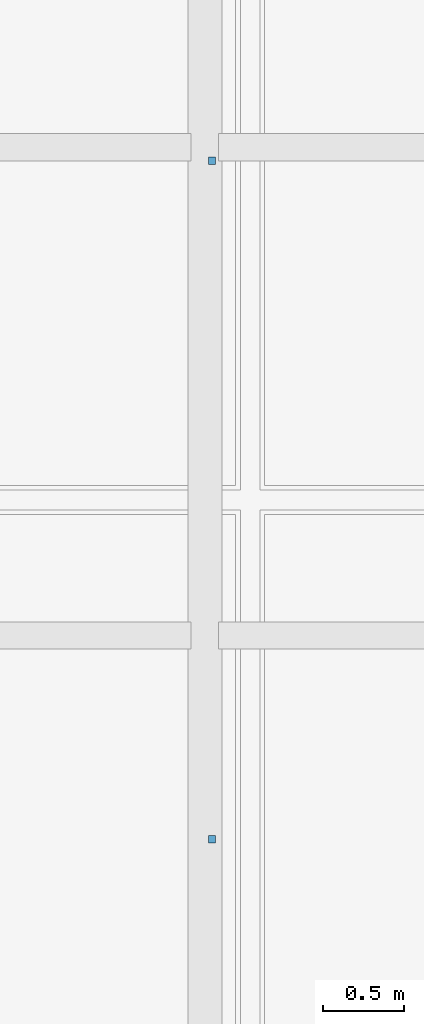
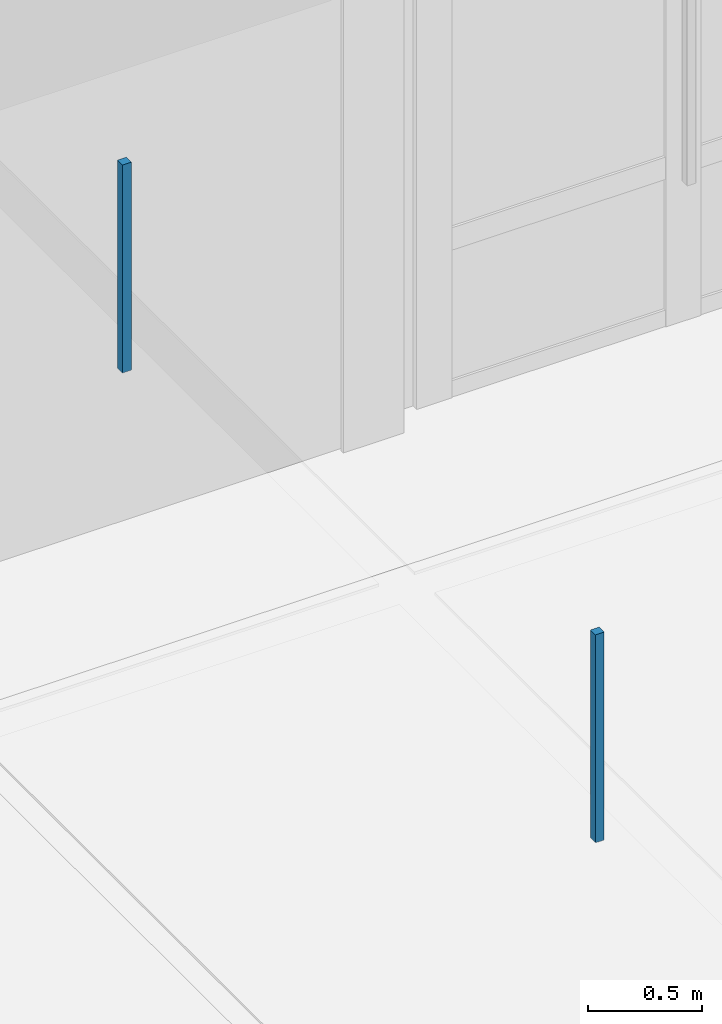
# One storey, part 107 of 140: 2 discrete accessories.
"""IFC4 building model written with IfcOpenShell, lengths in metres."""

import ifcopenshell
import ifcopenshell.guid

model = None  # the IFC model being written
_history = None  # IfcOwnerHistory: only IFC2X3 demands one
_inside = {}  # id of a spatial element -> (the spatial element, [elements in it])
_under = {}  # id of a project, library or spatial element -> (it, [spatial elements below it])
_declared = {}  # id of a project -> (the project, [libraries it declares])
_typed = {}  # id of a type object -> (the type object, [elements of that type])
_made_of = {}  # id of a material, layer set ... -> (it, [elements and type objects made of it])


def new_model(schema):
    """Start an empty IFC model of exactly this schema.

    Asked for "IFC4X3", IfcOpenShell would pick the latest addendum, in which some entities
    have other attributes; the version numbers below select the first issue.
    IFC2X3 requires an IfcOwnerHistory on every rooted entity: one is made here for all.
    """
    global model, _history
    if schema == "IFC4X3":
        model = ifcopenshell.file(schema_version=(4, 3, 0, 0))
    else:
        model = ifcopenshell.file(schema=schema)
    _inside.clear()
    _under.clear()
    _declared.clear()
    _typed.clear()
    _made_of.clear()
    _history = None
    if model.schema == "IFC2X3":
        org = make("IfcOrganization", Name="unknown")
        user = make(
            "IfcPersonAndOrganization",
            ThePerson=make("IfcPerson", FamilyName="unknown"),
            TheOrganization=org,
        )
        app = make(
            "IfcApplication",
            ApplicationDeveloper=org,
            Version="unknown",
            ApplicationFullName="unknown",
            ApplicationIdentifier="unknown",
        )
        _history = make(
            "IfcOwnerHistory",
            OwningUser=user,
            OwningApplication=app,
            ChangeAction="ADDED",
            CreationDate=0,
        )
    return model


def make(cls, **values):
    """One entity of the class cls with the attributes given. An attribute that is None is left unset."""
    return model.create_entity(
        cls, **{name: value for name, value in values.items() if value is not None}
    )


def rooted(cls, **values):
    """An entity with a GlobalId (a new one), such as an element, a storey or a relation."""
    return make(cls, GlobalId=ifcopenshell.guid.new(), OwnerHistory=_history, **values)


def si_unit(unit_type, name, prefix=None):
    """IfcSIUnit, for example si_unit("LENGTHUNIT", "METRE", prefix="MILLI")."""
    return make("IfcSIUnit", UnitType=unit_type, Prefix=prefix, Name=name)


def assignment(units):
    """IfcUnitAssignment: the units of a project."""
    return None if units is None else make("IfcUnitAssignment", Units=units)


def point(xyz):
    """IfcCartesianPoint."""
    return None if xyz is None else make("IfcCartesianPoint", Coordinates=xyz)


def direction(xyz):
    """IfcDirection."""
    return None if xyz is None else make("IfcDirection", DirectionRatios=xyz)


def frame(location, z_axis=None, x_axis=None):
    """IfcAxis2Placement3D, a coordinate frame: its origin and axes. An axis left out is left unset."""
    return make(
        "IfcAxis2Placement3D",
        Location=point(location),
        Axis=direction(z_axis),
        RefDirection=direction(x_axis),
    )


def frame_2d(location, x_axis=None):
    """IfcAxis2Placement2D, a coordinate frame in the plane: its origin and x axis."""
    return make(
        "IfcAxis2Placement2D", Location=point(location), RefDirection=direction(x_axis)
    )


def origin():
    """The frame at (0, 0, 0) with its axes left unset."""
    return frame((0.0, 0.0, 0.0))


def origin_2d():
    """The frame at (0, 0) in the plane with its x axis left unset."""
    return frame_2d((0.0, 0.0))


def place(relative_to, where):
    """IfcLocalPlacement: puts the frame where relative to a parent placement (None: the world)."""
    return make(
        "IfcLocalPlacement", PlacementRelTo=relative_to, RelativePlacement=where
    )


def context(
    kind, dimensions, precision=None, world=None, true_north=None, identifier=None
):
    """IfcGeometricRepresentationContext, for example the 3D "Model" context."""
    return make(
        "IfcGeometricRepresentationContext",
        ContextIdentifier=identifier,
        ContextType=kind,
        CoordinateSpaceDimension=dimensions,
        Precision=precision,
        WorldCoordinateSystem=world,
        TrueNorth=true_north,
    )


def subcontext(parent, identifier, kind, view, scale=None):
    """IfcGeometricRepresentationSubContext, for example "Body" below "Model"."""
    return make(
        "IfcGeometricRepresentationSubContext",
        ContextIdentifier=identifier,
        ContextType=kind,
        ParentContext=parent,
        TargetScale=scale,
        TargetView=view,
    )


def project(units=None, contexts=None):
    """IfcProject with its units and contexts."""
    return rooted(
        "IfcProject",
        Name="project",
        RepresentationContexts=contexts,
        UnitsInContext=assignment(units),
    )


def spatial(cls, under=None, at=None, **own):
    """A site, building, storey or space (cls), placed at a placement, below another one or the project."""
    s = rooted(cls, ObjectPlacement=at, **own)
    if under is not None:
        _under.setdefault(under.id(), (under, []))[1].append(s)
    return s


def profile(cls, at=None, kind="AREA", **sizes):
    """A parametric profile (cls). Its sizes go by their IFC names, for example OverallWidth=200.0."""
    return make(cls, ProfileType=kind, Position=at, **sizes)


def rectangle(**sizes):
    """IfcRectangleProfileDef."""
    return profile("IfcRectangleProfileDef", **sizes)


def extrude(swept, where, along, depth):
    """IfcExtrudedAreaSolid: the profile swept, set in the frame where, extruded along a direction by depth."""
    return make(
        "IfcExtrudedAreaSolid",
        SweptArea=swept,
        Position=where,
        ExtrudedDirection=direction(along),
        Depth=depth,
    )


def shape(context_of_items, identifier, shape_type, items):
    """IfcShapeRepresentation: the items that make up one representation, for example the "Body"."""
    return make(
        "IfcShapeRepresentation",
        ContextOfItems=context_of_items,
        RepresentationIdentifier=identifier,
        RepresentationType=shape_type,
        Items=items,
    )


def material(Name=None, Category=None):
    """IfcMaterial."""
    return make("IfcMaterial", Name=Name, Category=Category)


def made_of(thing, what):
    """Note that an element or type object is made of a material, layer set ...; save() writes the relation."""
    if what is not None:
        _made_of.setdefault(what.id(), (what, []))[1].append(thing)
    return thing


def type_object(cls, material=None, **own):
    """A type object (cls), such as IfcWallType, which elements share."""
    return made_of(rooted(cls, **own), material)


def element(
    cls,
    number,
    at=None,
    inside=None,
    cuts=None,
    type_object=None,
    material=None,
    context=None,
    identifier="Body",
    shape_type=None,
    held_by="IfcProductDefinitionShape",
    body=None,
    shapes=None,
    **own,
):
    """One element of the class cls, such as IfcWall. Its Tag is "e" and its number.

    at: its placement. inside: the storey or other place that contains it. cuts: it is an
    opening in that element (IfcRelVoidsElement). A single representation is given by context,
    identifier, shape_type and body (its items); several are given by shapes. held_by: the class
    of the entity that holds the representations. save() writes the other relations.
    """
    e = rooted(cls, Tag="e%d" % number, ObjectPlacement=at, **own)
    if body is not None:
        shapes = [shape(context, identifier, shape_type, body)]
    if shapes is not None:
        e.Representation = make(held_by, Representations=shapes)
    if inside is not None:
        _inside.setdefault(inside.id(), (inside, []))[1].append(e)
    if cuts is not None:
        rooted(
            "IfcRelVoidsElement", RelatingBuildingElement=cuts, RelatedOpeningElement=e
        )
    if type_object is not None:
        _typed.setdefault(type_object.id(), (type_object, []))[1].append(e)
    return made_of(e, material)


def aggregate(whole, parts):
    """IfcRelAggregates: a whole, such as a stair, and the parts it consists of."""
    return rooted("IfcRelAggregates", RelatingObject=whole, RelatedObjects=parts)


def save(model, path):
    """Write the relations noted so far, then the file.

    IfcRelAggregates (storeys below a building ...), IfcRelContainedInSpatialStructure (elements
    in a storey), IfcRelDefinesByType, IfcRelAssociatesMaterial and IfcRelDeclares: one each for
    every whole, place, type object, material and project.
    """
    for whole, parts in _under.values():
        aggregate(whole, parts)
    for where, things in _inside.values():
        rooted(
            "IfcRelContainedInSpatialStructure",
            RelatedElements=things,
            RelatingStructure=where,
        )
    for kind, things in _typed.values():
        rooted("IfcRelDefinesByType", RelatedObjects=things, RelatingType=kind)
    for what, things in _made_of.values():
        rooted("IfcRelAssociatesMaterial", RelatedObjects=things, RelatingMaterial=what)
    for by, libraries in _declared.values():
        rooted("IfcRelDeclares", RelatingContext=by, RelatedDefinitions=libraries)
    model.write(path)


model = new_model("IFC4")

# Units and contexts
model_context = context("Model", 3, precision=1e-05, world=origin(), true_north=direction((0.0, 1.0)))
body_context = subcontext(model_context, "Body", "Model", "MODEL_VIEW")
ifc_project = project(units=[si_unit("LENGTHUNIT", "METRE"), si_unit("AREAUNIT", "SQUARE_METRE"), si_unit("VOLUMEUNIT", "CUBIC_METRE"), si_unit("PLANEANGLEUNIT", "RADIAN"), si_unit("MASSUNIT", "GRAM", prefix="KILO"), si_unit("THERMODYNAMICTEMPERATUREUNIT", "KELVIN"), si_unit("POWERUNIT", "WATT")], contexts=[model_context])

# Site, building, storey
site_placement = place(None, origin())
site = spatial("IfcSite", under=ifc_project, at=site_placement, CompositionType="ELEMENT")
building_placement = place(site_placement, origin())
building = spatial("IfcBuilding", under=site, at=building_placement, Name="Tallowbark Science Centre", CompositionType="ELEMENT")
storey_placement = place(building_placement, frame((0.0, 0.0, 9.89990234375)))
storey = spatial("IfcBuildingStorey", under=building, at=storey_placement, Name="L02", CompositionType="ELEMENT", Elevation=9.89990234375)

# Discrete accessories
ifc_material = material(Name="Galvanised Steel Grade C350L0 (350 MPa)", Category="steel")
discrete_accessory_type = type_object("IfcDiscreteAccessoryType", Name="ACC-CLG-HNG", PredefinedType="BRACKET", material=ifc_material)
for number, where, z_axis, x_axis, name in (
    (1, (69.0439453125, 91.75, 3.205078125), (0.0, 0.0, 1.0), (1.0, 0.0, 0.0), "Ceiling Hanger Bracket L02-870"),
    (2, (69.0439453125, 95.916748046875, 3.205078125), (0.0, 0.0, 1.0), (1.0, 0.0, 0.0), "Ceiling Hanger Bracket L02-871"),
):
    element("IfcDiscreteAccessory", number, at=place(storey_placement, frame(where, z_axis=z_axis, x_axis=x_axis)), inside=storey, type_object=discrete_accessory_type, Name=name, PredefinedType="BRACKET", context=body_context, shape_type="SweptSolid", body=[
        extrude(rectangle(XDim=0.044921875, YDim=0.044921875, at=origin_2d()), origin(), (0.0, 0.0, 1.0), 1.117919921875),
    ])

save(model, "model.ifc")
